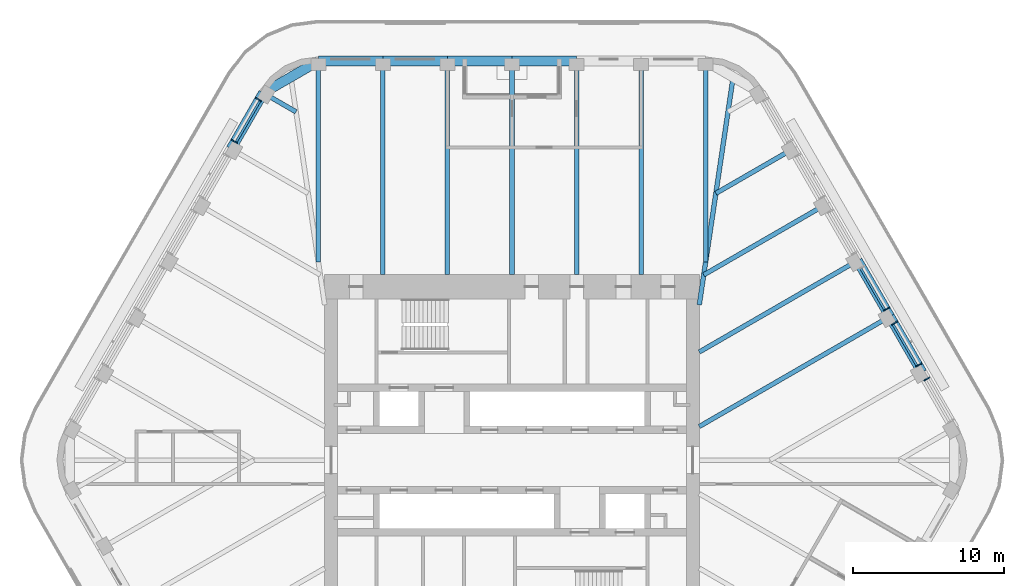
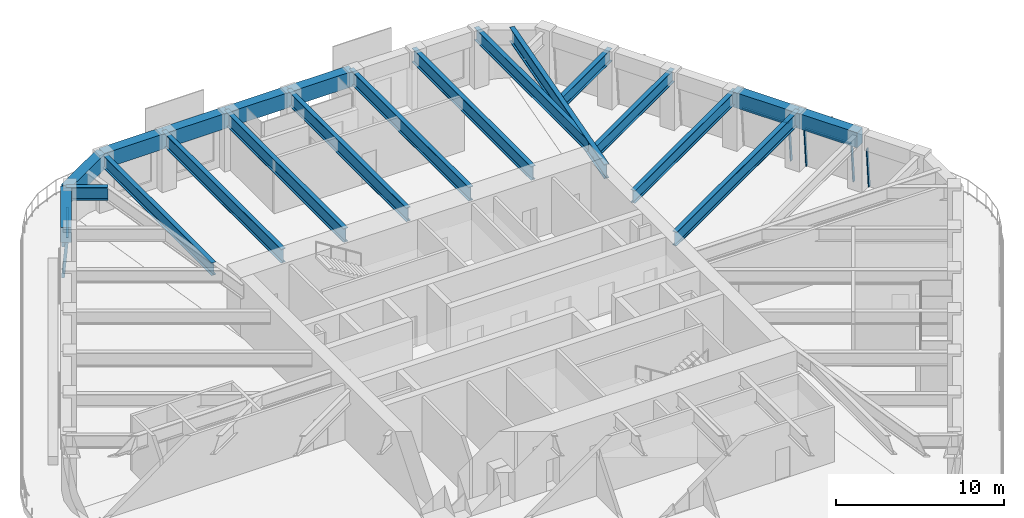
# One storey, part 9 of 19: 21 beams, 9 members, 4 elements without a shape of their own.
"""IFC4 building model written with IfcOpenShell, lengths in metres."""

import ifcopenshell
import ifcopenshell.guid

model = None  # the IFC model being written
_history = None  # IfcOwnerHistory: only IFC2X3 demands one
_inside = {}  # id of a spatial element -> (the spatial element, [elements in it])
_under = {}  # id of a project, library or spatial element -> (it, [spatial elements below it])
_declared = {}  # id of a project -> (the project, [libraries it declares])
_typed = {}  # id of a type object -> (the type object, [elements of that type])
_made_of = {}  # id of a material, layer set ... -> (it, [elements and type objects made of it])


def new_model(schema):
    """Start an empty IFC model of exactly this schema.

    Asked for "IFC4X3", IfcOpenShell would pick the latest addendum, in which some entities
    have other attributes; the version numbers below select the first issue.
    IFC2X3 requires an IfcOwnerHistory on every rooted entity: one is made here for all.
    """
    global model, _history
    if schema == "IFC4X3":
        model = ifcopenshell.file(schema_version=(4, 3, 0, 0))
    else:
        model = ifcopenshell.file(schema=schema)
    _inside.clear()
    _under.clear()
    _declared.clear()
    _typed.clear()
    _made_of.clear()
    _history = None
    if model.schema == "IFC2X3":
        org = make("IfcOrganization", Name="unknown")
        user = make(
            "IfcPersonAndOrganization",
            ThePerson=make("IfcPerson", FamilyName="unknown"),
            TheOrganization=org,
        )
        app = make(
            "IfcApplication",
            ApplicationDeveloper=org,
            Version="unknown",
            ApplicationFullName="unknown",
            ApplicationIdentifier="unknown",
        )
        _history = make(
            "IfcOwnerHistory",
            OwningUser=user,
            OwningApplication=app,
            ChangeAction="ADDED",
            CreationDate=0,
        )
    return model


def make(cls, **values):
    """One entity of the class cls with the attributes given. An attribute that is None is left unset."""
    return model.create_entity(
        cls, **{name: value for name, value in values.items() if value is not None}
    )


def rooted(cls, **values):
    """An entity with a GlobalId (a new one), such as an element, a storey or a relation."""
    return make(cls, GlobalId=ifcopenshell.guid.new(), OwnerHistory=_history, **values)


def si_unit(unit_type, name, prefix=None):
    """IfcSIUnit, for example si_unit("LENGTHUNIT", "METRE", prefix="MILLI")."""
    return make("IfcSIUnit", UnitType=unit_type, Prefix=prefix, Name=name)


def assignment(units):
    """IfcUnitAssignment: the units of a project."""
    return None if units is None else make("IfcUnitAssignment", Units=units)


def point(xyz):
    """IfcCartesianPoint."""
    return None if xyz is None else make("IfcCartesianPoint", Coordinates=xyz)


def direction(xyz):
    """IfcDirection."""
    return None if xyz is None else make("IfcDirection", DirectionRatios=xyz)


def frame(location, z_axis=None, x_axis=None):
    """IfcAxis2Placement3D, a coordinate frame: its origin and axes. An axis left out is left unset."""
    return make(
        "IfcAxis2Placement3D",
        Location=point(location),
        Axis=direction(z_axis),
        RefDirection=direction(x_axis),
    )


def frame_2d(location, x_axis=None):
    """IfcAxis2Placement2D, a coordinate frame in the plane: its origin and x axis."""
    return make(
        "IfcAxis2Placement2D", Location=point(location), RefDirection=direction(x_axis)
    )


def origin():
    """The frame at (0, 0, 0) with its axes left unset."""
    return frame((0.0, 0.0, 0.0))


def origin_2d():
    """The frame at (0, 0) in the plane with its x axis left unset."""
    return frame_2d((0.0, 0.0))


def place(relative_to, where):
    """IfcLocalPlacement: puts the frame where relative to a parent placement (None: the world)."""
    return make(
        "IfcLocalPlacement", PlacementRelTo=relative_to, RelativePlacement=where
    )


def context(
    kind, dimensions, precision=None, world=None, true_north=None, identifier=None
):
    """IfcGeometricRepresentationContext, for example the 3D "Model" context."""
    return make(
        "IfcGeometricRepresentationContext",
        ContextIdentifier=identifier,
        ContextType=kind,
        CoordinateSpaceDimension=dimensions,
        Precision=precision,
        WorldCoordinateSystem=world,
        TrueNorth=true_north,
    )


def subcontext(parent, identifier, kind, view, scale=None):
    """IfcGeometricRepresentationSubContext, for example "Body" below "Model"."""
    return make(
        "IfcGeometricRepresentationSubContext",
        ContextIdentifier=identifier,
        ContextType=kind,
        ParentContext=parent,
        TargetScale=scale,
        TargetView=view,
    )


def project(units=None, contexts=None):
    """IfcProject with its units and contexts."""
    return rooted(
        "IfcProject",
        Name="project",
        RepresentationContexts=contexts,
        UnitsInContext=assignment(units),
    )


def spatial(cls, under=None, at=None, **own):
    """A site, building, storey or space (cls), placed at a placement, below another one or the project."""
    s = rooted(cls, ObjectPlacement=at, **own)
    if under is not None:
        _under.setdefault(under.id(), (under, []))[1].append(s)
    return s


def profile(cls, at=None, kind="AREA", **sizes):
    """A parametric profile (cls). Its sizes go by their IFC names, for example OverallWidth=200.0."""
    return make(cls, ProfileType=kind, Position=at, **sizes)


def rectangle(**sizes):
    """IfcRectangleProfileDef."""
    return profile("IfcRectangleProfileDef", **sizes)


def i_section(**sizes):
    """IfcIShapeProfileDef."""
    return profile("IfcIShapeProfileDef", **sizes)


def extrude(swept, where, along, depth):
    """IfcExtrudedAreaSolid: the profile swept, set in the frame where, extruded along a direction by depth."""
    return make(
        "IfcExtrudedAreaSolid",
        SweptArea=swept,
        Position=where,
        ExtrudedDirection=direction(along),
        Depth=depth,
    )


def shape(context_of_items, identifier, shape_type, items):
    """IfcShapeRepresentation: the items that make up one representation, for example the "Body"."""
    return make(
        "IfcShapeRepresentation",
        ContextOfItems=context_of_items,
        RepresentationIdentifier=identifier,
        RepresentationType=shape_type,
        Items=items,
    )


def material(Name=None, Category=None):
    """IfcMaterial."""
    return make("IfcMaterial", Name=Name, Category=Category)


def material_profile(
    of_material, cross_section, Name=None, Category=None, Priority=None
):
    """IfcMaterialProfile: a cross section and its material."""
    return make(
        "IfcMaterialProfile",
        Name=Name,
        Material=of_material,
        Profile=cross_section,
        Priority=Priority,
        Category=Category,
    )


def profile_set(profiles, Name=None, composite=None):
    """IfcMaterialProfileSet."""
    return make(
        "IfcMaterialProfileSet",
        Name=Name,
        MaterialProfiles=profiles,
        CompositeProfile=composite,
    )


def made_of(thing, what):
    """Note that an element or type object is made of a material, layer set ...; save() writes the relation."""
    if what is not None:
        _made_of.setdefault(what.id(), (what, []))[1].append(thing)
    return thing


def type_object(cls, material=None, **own):
    """A type object (cls), such as IfcWallType, which elements share."""
    return made_of(rooted(cls, **own), material)


def element(
    cls,
    number,
    at=None,
    inside=None,
    cuts=None,
    type_object=None,
    material=None,
    context=None,
    identifier="Body",
    shape_type=None,
    held_by="IfcProductDefinitionShape",
    body=None,
    shapes=None,
    **own,
):
    """One element of the class cls, such as IfcWall. Its Tag is "e" and its number.

    at: its placement. inside: the storey or other place that contains it. cuts: it is an
    opening in that element (IfcRelVoidsElement). A single representation is given by context,
    identifier, shape_type and body (its items); several are given by shapes. held_by: the class
    of the entity that holds the representations. save() writes the other relations.
    """
    e = rooted(cls, Tag="e%d" % number, ObjectPlacement=at, **own)
    if body is not None:
        shapes = [shape(context, identifier, shape_type, body)]
    if shapes is not None:
        e.Representation = make(held_by, Representations=shapes)
    if inside is not None:
        _inside.setdefault(inside.id(), (inside, []))[1].append(e)
    if cuts is not None:
        rooted(
            "IfcRelVoidsElement", RelatingBuildingElement=cuts, RelatedOpeningElement=e
        )
    if type_object is not None:
        _typed.setdefault(type_object.id(), (type_object, []))[1].append(e)
    return made_of(e, material)


def aggregate(whole, parts):
    """IfcRelAggregates: a whole, such as a stair, and the parts it consists of."""
    return rooted("IfcRelAggregates", RelatingObject=whole, RelatedObjects=parts)


def save(model, path):
    """Write the relations noted so far, then the file.

    IfcRelAggregates (storeys below a building ...), IfcRelContainedInSpatialStructure (elements
    in a storey), IfcRelDefinesByType, IfcRelAssociatesMaterial and IfcRelDeclares: one each for
    every whole, place, type object, material and project.
    """
    for whole, parts in _under.values():
        aggregate(whole, parts)
    for where, things in _inside.values():
        rooted(
            "IfcRelContainedInSpatialStructure",
            RelatedElements=things,
            RelatingStructure=where,
        )
    for kind, things in _typed.values():
        rooted("IfcRelDefinesByType", RelatedObjects=things, RelatingType=kind)
    for what, things in _made_of.values():
        rooted("IfcRelAssociatesMaterial", RelatedObjects=things, RelatingMaterial=what)
    for by, libraries in _declared.values():
        rooted("IfcRelDeclares", RelatingContext=by, RelatedDefinitions=libraries)
    model.write(path)


model = new_model("IFC4")

# Units and contexts
model_context = context("Model", 3, precision=1e-05, world=origin(), true_north=direction((0.0, 1.0)))
body_context = subcontext(model_context, "Body", "Model", "MODEL_VIEW")
ifc_project = project(units=[si_unit("LENGTHUNIT", "METRE"), si_unit("AREAUNIT", "SQUARE_METRE"), si_unit("VOLUMEUNIT", "CUBIC_METRE"), si_unit("PLANEANGLEUNIT", "RADIAN"), si_unit("MASSUNIT", "GRAM", prefix="KILO")], contexts=[model_context])

# Site, building, storey
site_placement = place(None, origin())
site = spatial("IfcSite", under=ifc_project, at=site_placement, CompositionType="ELEMENT")
building_placement = place(site_placement, origin())
building = spatial("IfcBuilding", under=site, at=building_placement, Name="Tarfa Lantern Tower", CompositionType="ELEMENT")
storey_placement = place(building_placement, frame((0.0, 0.0, 336.699951171875)))
storey = spatial("IfcBuildingStorey", under=building, at=storey_placement, Name="L76", CompositionType="ELEMENT", Elevation=336.699951171875)

# Curtain wall, member
ifc_material_1 = material(Name="Aluminium framed curtain wall", Category="aluminium")
curtain_wall_type = type_object("IfcCurtainWallType", Name="CW4 CANTED GLAZING EXECUTIVE ZONE 2900", PredefinedType="USERDEFINED", material=ifc_material_1)
curtain_wall_1_placement = place(storey_placement, origin())
curtain_wall_1 = element("IfcCurtainWall", 1, at=curtain_wall_1_placement, inside=storey, type_object=curtain_wall_type, Name="CW4 NE L76", ObjectType="CURTAIN WALL", PredefinedType="USERDEFINED")
ifc_material_2 = material(Name="Aluminium mullion", Category="aluminium")
ifc_material_profile_1 = material_profile(ifc_material_2, rectangle(XDim=0.06494140625, YDim=0.199951171875, at=origin_2d()), Name="AL MULLION 65x200")
ifc_profile_set_1 = profile_set([ifc_material_profile_1], Name="Aluminium mullion")
member_type_1 = type_object("IfcMemberType", Name="CWM1 MULLION 65x200", PredefinedType="MULLION", material=ifc_profile_set_1)
member_1_placement = place(storey_placement, frame((27.6279296875, 5.447265625, 0.0), z_axis=(-0.074393603155, -0.042941967097, 0.996303959277), x_axis=(0.499919672301, -0.866071776036, 0.0)))
member_1 = element("IfcMember", 2, at=member_1_placement, type_object=member_type_1, Name="CW4 mullion 2", PredefinedType="MULLION", context=body_context, shape_type="SweptSolid", body=[
    extrude(rectangle(XDim=0.06494140625, YDim=0.199951171875, at=origin_2d()), origin(), (0.0, 0.0, 1.0), 2.910888671875),
])
aggregate(curtain_wall_1, [member_1])

# Curtain wall, members
curtain_wall_2_placement = place(storey_placement, origin())
curtain_wall_2 = element("IfcCurtainWall", 3, at=curtain_wall_2_placement, inside=storey, type_object=curtain_wall_type, Name="CW4 NE L76", ObjectType="CURTAIN WALL", PredefinedType="USERDEFINED")
member_2_placement = place(storey_placement, frame((27.095458984375, 6.369384765625, 0.0), z_axis=(-0.074393603155, -0.042941967097, 0.996303959277), x_axis=(0.499919672301, -0.866071776036, 0.0)))
member_2 = element("IfcMember", 4, at=member_2_placement, type_object=member_type_1, Name="CW4 mullion 1", PredefinedType="MULLION", context=body_context, shape_type="SweptSolid", body=[
    extrude(rectangle(XDim=0.06494140625, YDim=0.199951171875, at=origin_2d()), origin(), (0.0, 0.0, 1.0), 2.910888671875),
])
member_3_placement = place(storey_placement, frame((25.48681640625, 9.155517578125, 0.0), z_axis=(-0.074393603155, -0.042941967097, 0.996303959277), x_axis=(0.499919672301, -0.866071776036, 0.0)))
member_3 = element("IfcMember", 5, at=member_3_placement, type_object=member_type_1, Name="CW4 mullion 2", PredefinedType="MULLION", context=body_context, shape_type="SweptSolid", body=[
    extrude(rectangle(XDim=0.06494140625, YDim=0.199951171875, at=origin_2d()), origin(), (0.0, 0.0, 1.0), 2.910888671875),
])

# Curtain wall, member
curtain_wall_3_placement = place(storey_placement, origin())
curtain_wall_3 = element("IfcCurtainWall", 6, at=curtain_wall_3_placement, inside=storey, type_object=curtain_wall_type, Name="CW4 NE L76", ObjectType="CURTAIN WALL", PredefinedType="USERDEFINED")
member_4_placement = place(storey_placement, frame((24.954345703125, 10.077880859375, 0.0), z_axis=(-0.074393603155, -0.042941967097, 0.996303959277), x_axis=(0.499919672301, -0.866071776036, 0.0)))
member_4 = element("IfcMember", 7, at=member_4_placement, type_object=member_type_1, Name="CW4 mullion 1", PredefinedType="MULLION", context=body_context, shape_type="SweptSolid", body=[
    extrude(rectangle(XDim=0.06494140625, YDim=0.199951171875, at=origin_2d()), origin(), (0.0, 0.0, 1.0), 2.910888671875),
])

# Curtain wall, members
curtain_wall_4_placement = place(storey_placement, origin())
curtain_wall_4 = element("IfcCurtainWall", 8, at=curtain_wall_4_placement, inside=storey, type_object=curtain_wall_type, Name="CW4 NW L76", ObjectType="CURTAIN WALL", PredefinedType="USERDEFINED")
member_5_placement = place(storey_placement, frame((-16.9228515625, 23.98876953125, 0.0), z_axis=(0.074393603155, -0.042941967097, 0.996303959277), x_axis=(0.499919672301, 0.866071776036, 0.0)))
member_5 = element("IfcMember", 9, at=member_5_placement, type_object=member_type_1, Name="CW4 mullion 1", PredefinedType="MULLION", context=body_context, shape_type="SweptSolid", body=[
    extrude(rectangle(XDim=0.06494140625, YDim=0.199951171875, at=origin_2d()), origin(), (0.0, 0.0, 1.0), 2.910888671875),
])
member_6_placement = place(storey_placement, frame((-18.53125, 21.202880859375, 0.0), z_axis=(0.074393603155, -0.042941967097, 0.996303959277), x_axis=(0.499919672301, 0.866071776036, 0.0)))
member_6 = element("IfcMember", 10, at=member_6_placement, type_object=member_type_1, Name="CW4 mullion 2", PredefinedType="MULLION", context=body_context, shape_type="SweptSolid", body=[
    extrude(rectangle(XDim=0.06494140625, YDim=0.199951171875, at=origin_2d()), origin(), (0.0, 0.0, 1.0), 2.910888671875),
])

# Member
ifc_material_3 = material(Name="Aluminium transom", Category="aluminium")
ifc_material_profile_2 = material_profile(ifc_material_3, rectangle(XDim=0.14990234375, YDim=0.06494140625, at=origin_2d()), Name="AL TRANSOM 150x65")
ifc_profile_set_2 = profile_set([ifc_material_profile_2], Name="Aluminium transom")
member_type_2 = type_object("IfcMemberType", Name="CWT1 TRANSOM 150x65", PredefinedType="USERDEFINED", material=ifc_profile_set_2)
member_7_placement = place(storey_placement, frame((26.864990234375, 6.27392578125, 2.867431640625), z_axis=(-0.499979472441, 0.866037255052, 0.0), x_axis=(-0.866037255052, -0.499979472441, 0.0)))
member_7 = element("IfcMember", 11, at=member_7_placement, type_object=member_type_2, Name="CW4 transom 1.2", ObjectType="TRANSOM", PredefinedType="USERDEFINED", context=body_context, shape_type="SweptSolid", body=[
    extrude(rectangle(XDim=0.14990234375, YDim=0.06494140625, at=origin_2d()), origin(), (0.0, 0.0, 1.0), 3.152099609375),
])

aggregate(curtain_wall_2, [member_2, member_3, member_7])

member_8_placement = place(storey_placement, frame((24.72412109375, 9.982421875, 2.867431640625), z_axis=(-0.500037562771, 0.866003715822, 0.0), x_axis=(-0.866003715822, -0.500037562771, 0.0)))
member_8 = element("IfcMember", 12, at=member_8_placement, type_object=member_type_2, Name="CW4 transom 1.2", ObjectType="TRANSOM", PredefinedType="USERDEFINED", context=body_context, shape_type="SweptSolid", body=[
    extrude(rectangle(XDim=0.14990234375, YDim=0.06494140625, at=origin_2d()), origin(), (0.0, 0.0, 1.0), 3.152099609375),
])

aggregate(curtain_wall_3, [member_4, member_8])

member_9_placement = place(storey_placement, frame((-16.724853515625, 23.837158203125, 2.867431640625), z_axis=(-0.500037562771, -0.866003715822, 0.0), x_axis=(0.866003715822, -0.500037562771, 0.0)))
member_9 = element("IfcMember", 13, at=member_9_placement, type_object=member_type_2, Name="CW4 transom 1.2", ObjectType="TRANSOM", PredefinedType="USERDEFINED", context=body_context, shape_type="SweptSolid", body=[
    extrude(rectangle(XDim=0.14990234375, YDim=0.06494140625, at=origin_2d()), origin(), (0.0, 0.0, 1.0), 3.152099609375),
])

aggregate(curtain_wall_4, [member_5, member_6, member_9])

# Beams
ifc_material_4 = material(Name="Concrete C80/95", Category="concrete")
ifc_material_profile_3 = material_profile(ifc_material_4, rectangle(XDim=0.64990234375, YDim=1.10009765625, at=origin_2d()), Name="RC 650x1100")
ifc_profile_set_3 = profile_set([ifc_material_profile_3], Name="Concrete C80/95")
beam_type_1 = type_object("IfcBeamType", Name="EB4 RC 650x1100", PredefinedType="SPANDREL", material=ifc_profile_set_3)
beam_1_placement = place(storey_placement, frame((27.205810546875, 5.818359375, 3.449951171875), z_axis=(-0.500026801138, 0.866009929587, 0.0), x_axis=(-0.866009929587, -0.500026801138, 0.0)))
element("IfcBeam", 14, at=beam_1_placement, inside=storey, type_object=beam_type_1, Name="Edge beam NE1", PredefinedType="SPANDREL", context=body_context, shape_type="SweptSolid", body=[
    extrude(rectangle(XDim=0.64990234375, YDim=1.10009765625, at=origin_2d()), origin(), (0.0, 0.0, 1.0), 4.281982421875),
])
beam_2_placement = place(storey_placement, frame((25.064697265625, 9.526611328125, 3.449951171875), z_axis=(-0.500002112793, 0.866024183959, 0.0), x_axis=(-0.866024183959, -0.500002112793, 0.0)))
element("IfcBeam", 15, at=beam_2_placement, inside=storey, type_object=beam_type_1, Name="Edge beam NE2", PredefinedType="SPANDREL", context=body_context, shape_type="SweptSolid", body=[
    extrude(rectangle(XDim=0.64990234375, YDim=1.10009765625, at=origin_2d()), origin(), (0.0, 0.0, 1.0), 4.2822265625),
])
for number, where, z_axis, x_axis, name in (
    (16, (4.281982421875, 26.469970703125, 3.449951171875), (-1.0, 0.0, 0.0), (0.0, -1.0, 0.0), "Edge beam N2"),
    (17, (0.0, 26.469970703125, 3.449951171875), (-1.0, 0.0, 0.0), (0.0, -1.0, 0.0), "Edge beam N3"),
    (18, (-4.281982421875, 26.469970703125, 3.449951171875), (-1.0, 0.0, 0.0), (0.0, -1.0, 0.0), "Edge beam N4"),
    (19, (-8.56396484375, 26.469970703125, 3.449951171875), (-1.0, 0.0, 0.0), (0.0, -1.0, 0.0), "Edge beam N5"),
):
    element("IfcBeam", number, at=place(storey_placement, frame(where, z_axis=z_axis, x_axis=x_axis)), inside=storey, type_object=beam_type_1, Name=name, PredefinedType="SPANDREL", context=body_context, shape_type="SweptSolid", body=[
        extrude(rectangle(XDim=0.64990234375, YDim=1.10009765625, at=origin_2d()), origin(), (0.0, 0.0, 1.0), 4.281982421875),
    ])
beam_3_placement = place(storey_placement, frame((-12.845947265625, 26.469970703125, 3.449951171875), z_axis=(-0.866048788483, -0.499959494327, 0.0), x_axis=(0.499959494327, -0.866048788483, 0.0)))
element("IfcBeam", 20, at=beam_3_placement, inside=storey, type_object=beam_type_1, Name="Edge beam N6", PredefinedType="SPANDREL", context=body_context, shape_type="SweptSolid", body=[
    extrude(rectangle(XDim=0.64990234375, YDim=1.10009765625, at=origin_2d()), origin(), (0.0, 0.0, 1.0), 4.219970703125),
])
beam_4_placement = place(storey_placement, frame((-16.500732421875, 24.360107421875, 3.449951171875), z_axis=(-0.499959351497, -0.866048870937, 0.0), x_axis=(0.866048870937, -0.499959351497, 0.0)))
element("IfcBeam", 21, at=beam_4_placement, inside=storey, type_object=beam_type_1, Name="Edge beam NW0", PredefinedType="SPANDREL", context=body_context, shape_type="SweptSolid", body=[
    extrude(rectangle(XDim=0.64990234375, YDim=1.10009765625, at=origin_2d()), origin(), (0.0, 0.0, 1.0), 4.281982421875),
])
ifc_material_5 = material(Name="Steel S460M", Category="steel")
ifc_material_profile_4 = material_profile(ifc_material_5, i_section(OverallWidth=0.302001953125, OverallDepth=1.008056640625, WebThickness=0.02099609375, FlangeThickness=0.0400390625, FilletRadius=0.030029296875, at=origin_2d()), Name="UB1016x305x349")
ifc_profile_set_4 = profile_set([ifc_material_profile_4], Name="Steel S460M")
beam_type_2 = type_object("IfcBeamType", Name="UB1016x305x349", PredefinedType="BEAM", material=ifc_profile_set_4)
beam_5_placement = place(storey_placement, frame((25.064697265625, 9.526611328125, 3.49609375), z_axis=(-0.866029591389, -0.499992746786, 0.0), x_axis=(0.499992746786, -0.866029591389, 0.0)))
element("IfcBeam", 22, at=beam_5_placement, inside=storey, type_object=beam_type_2, Name="Floor beam NE2", PredefinedType="BEAM", context=body_context, shape_type="SweptSolid", body=[
    extrude(i_section(OverallWidth=0.302001953125, OverallDepth=1.008056640625, WebThickness=0.02099609375, FlangeThickness=0.0400390625, FilletRadius=0.030029296875, at=origin_2d()), origin(), (0.0, 0.0, 1.0), 14.594970703125),
])
for number, where, z_axis, x_axis, name in (
    (23, (8.56396484375, 26.469970703125, 3.49609375), (0.0, -1.0, 0.0), (1.0, 0.0, 0.0), "Floor beam N1"),
    (24, (4.281982421875, 26.469970703125, 3.49609375), (0.0, -1.0, 0.0), (1.0, 0.0, 0.0), "Floor beam N2"),
    (25, (0.0, 26.469970703125, 3.49609375), (0.0, -1.0, 0.0), (1.0, 0.0, 0.0), "Floor beam N3"),
    (26, (-4.281982421875, 26.469970703125, 3.49609375), (0.0, -1.0, 0.0), (1.0, 0.0, 0.0), "Floor beam N4"),
    (27, (-8.56396484375, 26.469970703125, 3.49609375), (0.0, -1.0, 0.0), (1.0, 0.0, 0.0), "Floor beam N5"),
):
    element("IfcBeam", number, at=place(storey_placement, frame(where, z_axis=z_axis, x_axis=x_axis)), inside=storey, type_object=beam_type_2, Name=name, PredefinedType="BEAM", context=body_context, shape_type="SweptSolid", body=[
        extrude(i_section(OverallWidth=0.302001953125, OverallDepth=1.008056640625, WebThickness=0.02099609375, FlangeThickness=0.0400390625, FilletRadius=0.030029296875, at=origin_2d()), origin(), (0.0, 0.0, 1.0), 14.169921875),
    ])
ifc_material_profile_5 = material_profile(ifc_material_5, i_section(OverallWidth=0.30859375, OverallDepth=1.036376953125, WebThickness=0.030029296875, FlangeThickness=0.05419921875, FilletRadius=0.030029296875, at=origin_2d()), Name="UB1016x305x487")
ifc_profile_set_5 = profile_set([ifc_material_profile_5], Name="Steel S460M")
beam_type_3 = type_object("IfcBeamType", Name="UB1016x305x487", PredefinedType="BEAM", material=ifc_profile_set_5)
beam_6_placement = place(storey_placement, frame((12.425048828125, 10.300048828125, 3.48193359375), z_axis=(0.147127069073, 0.989117599452, 0.0), x_axis=(-0.989117599452, 0.147127069073, 0.0)))
element("IfcBeam", 28, at=beam_6_placement, inside=storey, type_object=beam_type_3, Name="Hip girder NE", PredefinedType="BEAM", context=body_context, shape_type="SweptSolid", body=[
    extrude(i_section(OverallWidth=0.30859375, OverallDepth=1.036376953125, WebThickness=0.030029296875, FlangeThickness=0.05419921875, FilletRadius=0.030029296875, at=origin_2d()), origin(), (0.0, 0.0, 1.0), 15.28125),
])
ifc_material_profile_6 = material_profile(ifc_material_5, i_section(OverallWidth=0.305419921875, OverallDepth=0.91845703125, WebThickness=0.017333984375, FlangeThickness=0.02783203125, FilletRadius=0.01904296875, at=origin_2d()), Name="UB914x305x253")
ifc_profile_set_6 = profile_set([ifc_material_profile_6], Name="Steel S460M")
beam_type_4 = type_object("IfcBeamType", Name="UB914x305x253", PredefinedType="BEAM", material=ifc_profile_set_6)
beam_7_placement = place(storey_placement, frame((22.923583984375, 13.235107421875, 3.540771484375), z_axis=(-0.86601856927, -0.500011837539, 0.0), x_axis=(0.500011837539, -0.86601856927, 0.0)))
element("IfcBeam", 29, at=beam_7_placement, inside=storey, type_object=beam_type_4, Name="Floor beam NE3", PredefinedType="BEAM", context=body_context, shape_type="SweptSolid", body=[
    extrude(i_section(OverallWidth=0.305419921875, OverallDepth=0.91845703125, WebThickness=0.017333984375, FlangeThickness=0.02783203125, FilletRadius=0.01904296875, at=origin_2d()), origin(), (0.0, 0.0, 1.0), 12.122802734375),
])
beam_8_placement = place(storey_placement, frame((20.78271484375, 16.943359375, 3.540771484375), z_axis=(-0.866021806508, -0.500006230613, 0.0), x_axis=(0.500006230613, -0.866021806508, 0.0)))
element("IfcBeam", 30, at=beam_8_placement, inside=storey, type_object=beam_type_4, Name="Floor beam NE4", PredefinedType="BEAM", context=body_context, shape_type="SweptSolid", body=[
    extrude(i_section(OverallWidth=0.305419921875, OverallDepth=0.91845703125, WebThickness=0.017333984375, FlangeThickness=0.02783203125, FilletRadius=0.01904296875, at=origin_2d()), origin(), (0.0, 0.0, 1.0), 9.30908203125),
])
beam_9_placement = place(storey_placement, frame((18.6416015625, 20.651611328125, 3.540771484375), z_axis=(-0.866024549157, -0.500001480256, 0.0), x_axis=(0.500001480256, -0.866024549157, 0.0)))
element("IfcBeam", 31, at=beam_9_placement, inside=storey, type_object=beam_type_4, Name="Floor beam NE5", PredefinedType="BEAM", context=body_context, shape_type="SweptSolid", body=[
    extrude(i_section(OverallWidth=0.305419921875, OverallDepth=0.91845703125, WebThickness=0.017333984375, FlangeThickness=0.02783203125, FilletRadius=0.01904296875, at=origin_2d()), origin(), (0.0, 0.0, 1.0), 5.90771484375),
])
for number, where, z_axis, x_axis, name in (
    (32, (12.845947265625, 26.469970703125, 3.540771484375), (0.0, -1.0, 0.0), (1.0, 0.0, 0.0), "Floor beam N0"),
    (33, (-12.845947265625, 26.469970703125, 3.540771484375), (0.0, -1.0, 0.0), (1.0, 0.0, 0.0), "Floor beam N6"),
):
    element("IfcBeam", number, at=place(storey_placement, frame(where, z_axis=z_axis, x_axis=x_axis)), inside=storey, type_object=beam_type_4, Name=name, PredefinedType="BEAM", context=body_context, shape_type="SweptSolid", body=[
        extrude(i_section(OverallWidth=0.305419921875, OverallDepth=0.91845703125, WebThickness=0.017333984375, FlangeThickness=0.02783203125, FilletRadius=0.01904296875, at=origin_2d()), origin(), (0.0, 0.0, 1.0), 13.33935546875),
    ])
beam_10_placement = place(storey_placement, frame((-16.500732421875, 24.360107421875, 3.540771484375), z_axis=(0.865992557167, -0.500056887695, 0.0), x_axis=(0.500056887695, 0.865992557167, 0.0)))
element("IfcBeam", 34, at=beam_10_placement, inside=storey, type_object=beam_type_4, Name="Floor beam NW0", PredefinedType="BEAM", context=body_context, shape_type="SweptSolid", body=[
    extrude(i_section(OverallWidth=0.305419921875, OverallDepth=0.91845703125, WebThickness=0.017333984375, FlangeThickness=0.02783203125, FilletRadius=0.01904296875, at=origin_2d()), origin(), (0.0, 0.0, 1.0), 2.506591796875),
])

save(model, "model.ifc")
